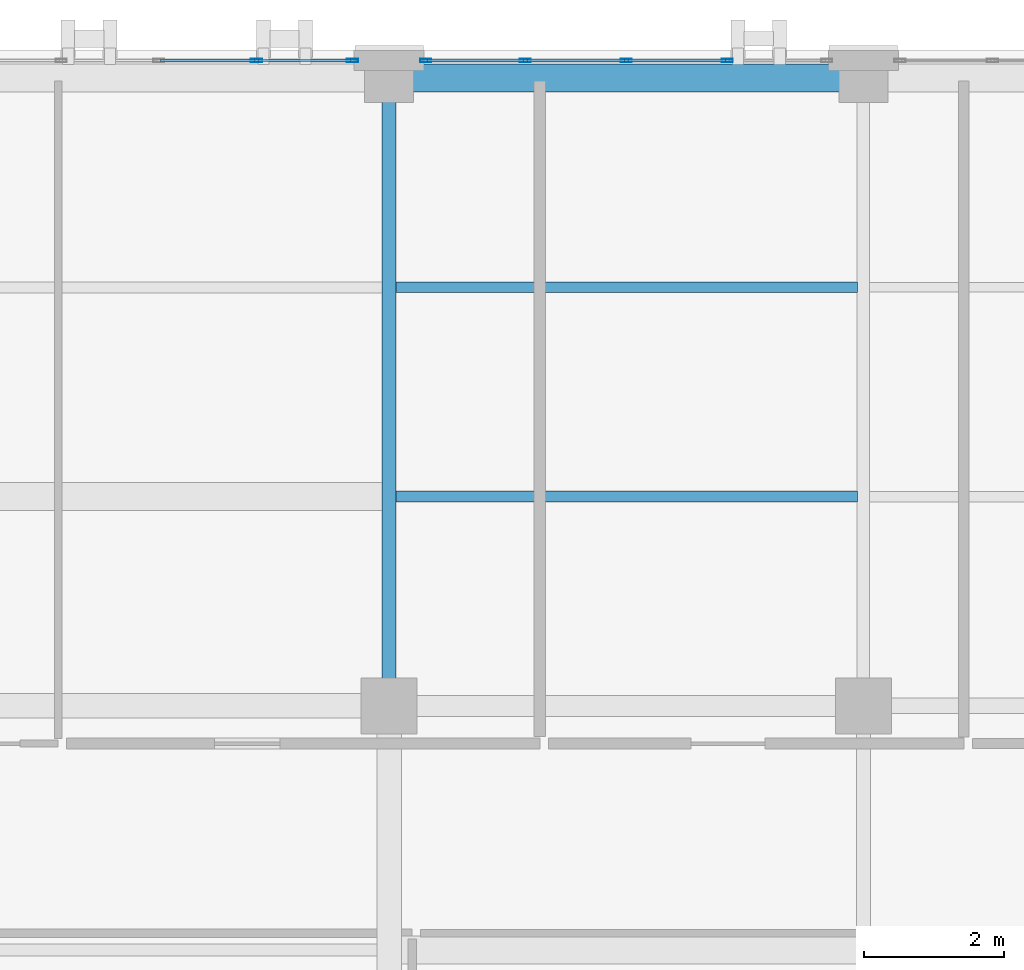
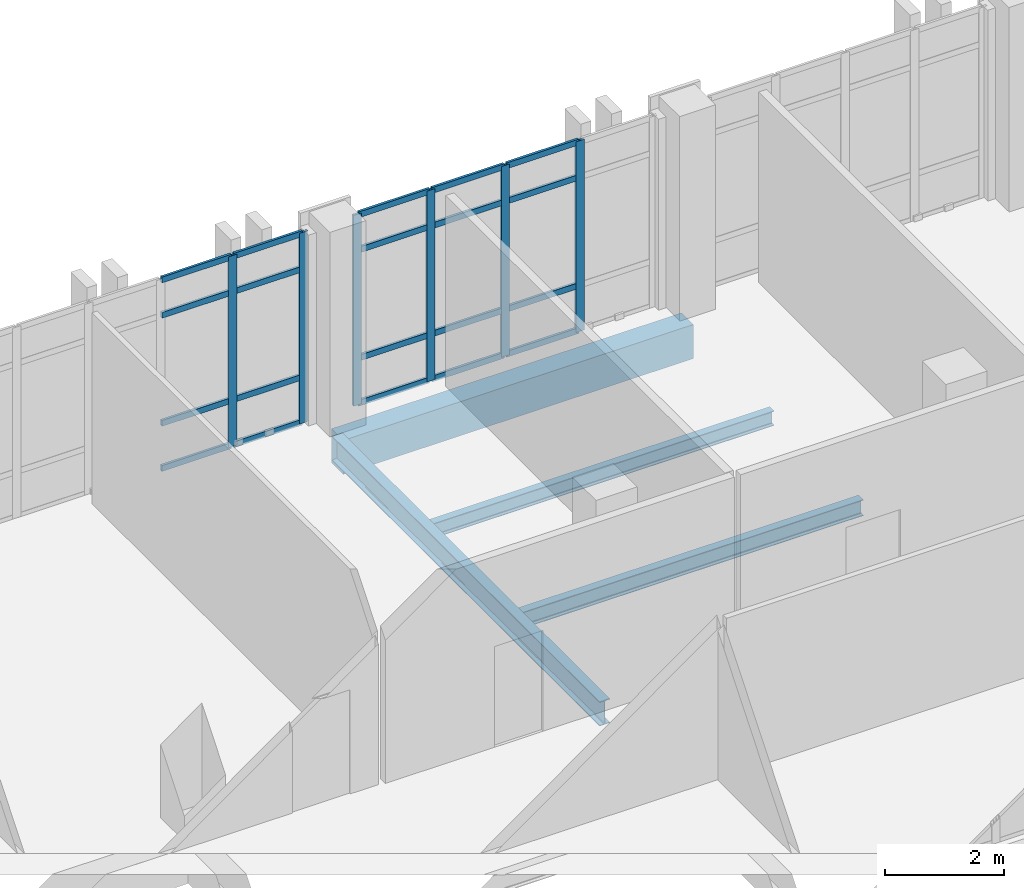
# One storey, part 94 of 165: 26 members, 4 beams, 2 elements without a shape of their own.
"""IFC4 building model written with IfcOpenShell, lengths in metres."""

from ifc_helpers import new_model, si_unit, direction, frame, origin, origin_2d, place, context, subcontext, project, spatial, rectangle, hollow_rectangle, i_section, extrude, material, layer, layer_set, material_profile, profile_set, type_object, element, aggregate, save


model = new_model("IFC4")

# Units and contexts
model_context = context("Model", 3, precision=1e-05, world=origin(), true_north=direction((0.0, 1.0)))
body_context = subcontext(model_context, "Body", "Model", "MODEL_VIEW")
ifc_project = project(units=[si_unit("LENGTHUNIT", "METRE"), si_unit("AREAUNIT", "SQUARE_METRE"), si_unit("VOLUMEUNIT", "CUBIC_METRE"), si_unit("PLANEANGLEUNIT", "RADIAN"), si_unit("MASSUNIT", "GRAM", prefix="KILO")], contexts=[model_context])

# Site, building, storey
site_placement = place(None, origin())
site = spatial("IfcSite", under=ifc_project, at=site_placement, CompositionType="ELEMENT")
building_placement = place(site_placement, origin())
building = spatial("IfcBuilding", under=site, at=building_placement, Name="Qalavern Law Courts", CompositionType="ELEMENT")
storey_placement = place(building_placement, frame((0.0, 0.0, 14.39990234375)))
storey = spatial("IfcBuildingStorey", under=building, at=storey_placement, Name="L03", CompositionType="ELEMENT", Elevation=14.39990234375)

# Curtain wall, members
ifc_material_1 = material(Name="Anodised aluminium and insulated glazing", Category="aluminium")
ifc_layer = layer(ifc_material_1, 0.166015625)
ifc_layer_set = layer_set([ifc_layer], Name="Anodised aluminium and insulated glazing")
curtain_wall_type = type_object("IfcCurtainWallType", Name="ENV-CW-LIB", PredefinedType="USERDEFINED", material=ifc_layer_set)
curtain_wall_1_placement = place(storey_placement, origin())
curtain_wall_1 = element("IfcCurtainWall", 1, at=curtain_wall_1_placement, inside=storey, type_object=curtain_wall_type, Name="V5 unitised curtain wall L03 north 3", ObjectType="UNITISED CURTAIN WALL", PredefinedType="USERDEFINED")
ifc_material_2 = material(Name="Anodised aluminium", Category="aluminium")
ifc_material_profile_1 = material_profile(ifc_material_2, hollow_rectangle(XDim=0.048095703125, YDim=0.159912109375, WallThickness=0.00390625, at=origin_2d()), Name="ALU MULLION 48x160")
ifc_profile_set_1 = profile_set([ifc_material_profile_1], Name="Anodised aluminium")
member_type_1 = type_object("IfcMemberType", Name="ENV-CWM-48x160", PredefinedType="MULLION", material=ifc_profile_set_1)
member_1_placement = place(storey_placement, frame((49.64990234375, 112.8525390625, 0.0), z_axis=(0.0, 0.0, 1.0), x_axis=(0.0, -1.0, 0.0)))
member_1 = element("IfcMember", 2, at=member_1_placement, type_object=member_type_1, Name="CW-05 mullion 2", PredefinedType="MULLION", context=body_context, shape_type="SweptSolid", body=[
    extrude(hollow_rectangle(XDim=0.048095703125, YDim=0.159912109375, WallThickness=0.00390625, at=origin_2d()), origin(), (0.0, 0.0, 1.0), 3.920166015625),
])
member_2_placement = place(storey_placement, frame((48.199951171875, 112.8525390625, 0.0), z_axis=(0.0, 0.0, 1.0), x_axis=(0.0, -1.0, 0.0)))
member_2 = element("IfcMember", 3, at=member_2_placement, type_object=member_type_1, Name="CW-05 mullion 3", PredefinedType="MULLION", context=body_context, shape_type="SweptSolid", body=[
    extrude(hollow_rectangle(XDim=0.048095703125, YDim=0.159912109375, WallThickness=0.00390625, at=origin_2d()), origin(), (0.0, 0.0, 1.0), 3.920166015625),
])
member_3_placement = place(storey_placement, frame((46.75, 112.8525390625, 0.0), z_axis=(0.0, 0.0, 1.0), x_axis=(0.0, -1.0, 0.0)))
member_3 = element("IfcMember", 4, at=member_3_placement, type_object=member_type_1, Name="CW-05 mullion 4", PredefinedType="MULLION", context=body_context, shape_type="SweptSolid", body=[
    extrude(hollow_rectangle(XDim=0.048095703125, YDim=0.159912109375, WallThickness=0.00390625, at=origin_2d()), origin(), (0.0, 0.0, 1.0), 3.920166015625),
])
member_4_placement = place(storey_placement, frame((45.323974609375, 112.8525390625, 0.0), z_axis=(0.0, 0.0, 1.0), x_axis=(0.0, -1.0, 0.0)))
member_4 = element("IfcMember", 5, at=member_4_placement, type_object=member_type_1, Name="CW-05 mullion 5", PredefinedType="MULLION", context=body_context, shape_type="SweptSolid", body=[
    extrude(hollow_rectangle(XDim=0.048095703125, YDim=0.159912109375, WallThickness=0.00390625, at=origin_2d()), origin(), (0.0, 0.0, 1.0), 3.920166015625),
])

curtain_wall_2_placement = place(storey_placement, origin())
curtain_wall_2 = element("IfcCurtainWall", 6, at=curtain_wall_2_placement, inside=storey, type_object=curtain_wall_type, Name="V5 unitised curtain wall L03 north 4", ObjectType="UNITISED CURTAIN WALL", PredefinedType="USERDEFINED")
member_5_placement = place(storey_placement, frame((44.27587890625, 112.8525390625, 0.0), z_axis=(0.0, 0.0, 1.0), x_axis=(0.0, -1.0, 0.0)))
member_5 = element("IfcMember", 7, at=member_5_placement, type_object=member_type_1, Name="CW-05 mullion 1", PredefinedType="MULLION", context=body_context, shape_type="SweptSolid", body=[
    extrude(hollow_rectangle(XDim=0.048095703125, YDim=0.159912109375, WallThickness=0.00390625, at=origin_2d()), origin(), (0.0, 0.0, 1.0), 3.920166015625),
])
member_6_placement = place(storey_placement, frame((42.89990234375, 112.8525390625, 0.0), z_axis=(0.0, 0.0, 1.0), x_axis=(0.0, -1.0, 0.0)))
member_6 = element("IfcMember", 8, at=member_6_placement, type_object=member_type_1, Name="CW-05 mullion 2", PredefinedType="MULLION", context=body_context, shape_type="SweptSolid", body=[
    extrude(hollow_rectangle(XDim=0.048095703125, YDim=0.159912109375, WallThickness=0.00390625, at=origin_2d()), origin(), (0.0, 0.0, 1.0), 3.920166015625),
])

# Member
ifc_material_profile_2 = material_profile(ifc_material_2, hollow_rectangle(XDim=0.048095703125, YDim=0.1201171875, WallThickness=0.00390625, at=origin_2d()), Name="ALU TRANSOM 48x120")
ifc_profile_set_2 = profile_set([ifc_material_profile_2], Name="Anodised aluminium")
member_type_2 = type_object("IfcMemberType", Name="ENV-CWT-48x120", PredefinedType="USERDEFINED", material=ifc_profile_set_2)
member_7_placement = place(storey_placement, frame((49.6259765625, 112.8525390625, 0.024169921875), z_axis=(-1.0, 0.0, 0.0), x_axis=(0.0, -1.0, 0.0)))
member_7 = element("IfcMember", 9, at=member_7_placement, type_object=member_type_2, Name="CW-05 transom 2.1", ObjectType="TRANSOM", PredefinedType="USERDEFINED", context=body_context, shape_type="SweptSolid", body=[
    extrude(hollow_rectangle(XDim=0.048095703125, YDim=0.1201171875, WallThickness=0.00390625, at=origin_2d()), origin(), (0.0, 0.0, 1.0), 1.40185546875),
])

member_8_placement = place(storey_placement, frame((49.6259765625, 112.8525390625, 0.9501953125), z_axis=(-1.0, 0.0, 0.0), x_axis=(0.0, -1.0, 0.0)))
member_8 = element("IfcMember", 10, at=member_8_placement, type_object=member_type_2, Name="CW-05 transom 2.2", ObjectType="TRANSOM", PredefinedType="USERDEFINED", context=body_context, shape_type="SweptSolid", body=[
    extrude(hollow_rectangle(XDim=0.048095703125, YDim=0.1201171875, WallThickness=0.00390625, at=origin_2d()), origin(), (0.0, 0.0, 1.0), 1.40185546875),
])

member_9_placement = place(storey_placement, frame((49.6259765625, 112.8525390625, 3.170166015625), z_axis=(-1.0, 0.0, 0.0), x_axis=(0.0, -1.0, 0.0)))
member_9 = element("IfcMember", 11, at=member_9_placement, type_object=member_type_2, Name="CW-05 transom 2.3", ObjectType="TRANSOM", PredefinedType="USERDEFINED", context=body_context, shape_type="SweptSolid", body=[
    extrude(hollow_rectangle(XDim=0.048095703125, YDim=0.1201171875, WallThickness=0.00390625, at=origin_2d()), origin(), (0.0, 0.0, 1.0), 1.40185546875),
])

member_10_placement = place(storey_placement, frame((49.6259765625, 112.8525390625, 3.89599609375), z_axis=(-1.0, 0.0, 0.0), x_axis=(0.0, -1.0, 0.0)))
member_10 = element("IfcMember", 12, at=member_10_placement, type_object=member_type_2, Name="CW-05 transom 2.4", ObjectType="TRANSOM", PredefinedType="USERDEFINED", context=body_context, shape_type="SweptSolid", body=[
    extrude(hollow_rectangle(XDim=0.048095703125, YDim=0.1201171875, WallThickness=0.00390625, at=origin_2d()), origin(), (0.0, 0.0, 1.0), 1.40185546875),
])

member_11_placement = place(storey_placement, frame((48.176025390625, 112.8525390625, 0.024169921875), z_axis=(-1.0, 0.0, 0.0), x_axis=(0.0, -1.0, 0.0)))
member_11 = element("IfcMember", 13, at=member_11_placement, type_object=member_type_2, Name="CW-05 transom 3.1", ObjectType="TRANSOM", PredefinedType="USERDEFINED", context=body_context, shape_type="SweptSolid", body=[
    extrude(hollow_rectangle(XDim=0.048095703125, YDim=0.1201171875, WallThickness=0.00390625, at=origin_2d()), origin(), (0.0, 0.0, 1.0), 1.402099609375),
])

member_12_placement = place(storey_placement, frame((48.176025390625, 112.8525390625, 0.9501953125), z_axis=(-1.0, 0.0, 0.0), x_axis=(0.0, -1.0, 0.0)))
member_12 = element("IfcMember", 14, at=member_12_placement, type_object=member_type_2, Name="CW-05 transom 3.2", ObjectType="TRANSOM", PredefinedType="USERDEFINED", context=body_context, shape_type="SweptSolid", body=[
    extrude(hollow_rectangle(XDim=0.048095703125, YDim=0.1201171875, WallThickness=0.00390625, at=origin_2d()), origin(), (0.0, 0.0, 1.0), 1.402099609375),
])

member_13_placement = place(storey_placement, frame((48.176025390625, 112.8525390625, 3.170166015625), z_axis=(-1.0, 0.0, 0.0), x_axis=(0.0, -1.0, 0.0)))
member_13 = element("IfcMember", 15, at=member_13_placement, type_object=member_type_2, Name="CW-05 transom 3.3", ObjectType="TRANSOM", PredefinedType="USERDEFINED", context=body_context, shape_type="SweptSolid", body=[
    extrude(hollow_rectangle(XDim=0.048095703125, YDim=0.1201171875, WallThickness=0.00390625, at=origin_2d()), origin(), (0.0, 0.0, 1.0), 1.402099609375),
])

member_14_placement = place(storey_placement, frame((48.176025390625, 112.8525390625, 3.89599609375), z_axis=(-1.0, 0.0, 0.0), x_axis=(0.0, -1.0, 0.0)))
member_14 = element("IfcMember", 16, at=member_14_placement, type_object=member_type_2, Name="CW-05 transom 3.4", ObjectType="TRANSOM", PredefinedType="USERDEFINED", context=body_context, shape_type="SweptSolid", body=[
    extrude(hollow_rectangle(XDim=0.048095703125, YDim=0.1201171875, WallThickness=0.00390625, at=origin_2d()), origin(), (0.0, 0.0, 1.0), 1.402099609375),
])

member_15_placement = place(storey_placement, frame((46.72607421875, 112.8525390625, 0.024169921875), z_axis=(-1.0, 0.0, 0.0), x_axis=(0.0, -1.0, 0.0)))
member_15 = element("IfcMember", 17, at=member_15_placement, type_object=member_type_2, Name="CW-05 transom 4.1", ObjectType="TRANSOM", PredefinedType="USERDEFINED", context=body_context, shape_type="SweptSolid", body=[
    extrude(hollow_rectangle(XDim=0.048095703125, YDim=0.1201171875, WallThickness=0.00390625, at=origin_2d()), origin(), (0.0, 0.0, 1.0), 1.378173828125),
])

member_16_placement = place(storey_placement, frame((46.72607421875, 112.8525390625, 0.9501953125), z_axis=(-1.0, 0.0, 0.0), x_axis=(0.0, -1.0, 0.0)))
member_16 = element("IfcMember", 18, at=member_16_placement, type_object=member_type_2, Name="CW-05 transom 4.2", ObjectType="TRANSOM", PredefinedType="USERDEFINED", context=body_context, shape_type="SweptSolid", body=[
    extrude(hollow_rectangle(XDim=0.048095703125, YDim=0.1201171875, WallThickness=0.00390625, at=origin_2d()), origin(), (0.0, 0.0, 1.0), 1.378173828125),
])

member_17_placement = place(storey_placement, frame((46.72607421875, 112.8525390625, 3.170166015625), z_axis=(-1.0, 0.0, 0.0), x_axis=(0.0, -1.0, 0.0)))
member_17 = element("IfcMember", 19, at=member_17_placement, type_object=member_type_2, Name="CW-05 transom 4.3", ObjectType="TRANSOM", PredefinedType="USERDEFINED", context=body_context, shape_type="SweptSolid", body=[
    extrude(hollow_rectangle(XDim=0.048095703125, YDim=0.1201171875, WallThickness=0.00390625, at=origin_2d()), origin(), (0.0, 0.0, 1.0), 1.378173828125),
])

member_18_placement = place(storey_placement, frame((46.72607421875, 112.8525390625, 3.89599609375), z_axis=(-1.0, 0.0, 0.0), x_axis=(0.0, -1.0, 0.0)))
member_18 = element("IfcMember", 20, at=member_18_placement, type_object=member_type_2, Name="CW-05 transom 4.4", ObjectType="TRANSOM", PredefinedType="USERDEFINED", context=body_context, shape_type="SweptSolid", body=[
    extrude(hollow_rectangle(XDim=0.048095703125, YDim=0.1201171875, WallThickness=0.00390625, at=origin_2d()), origin(), (0.0, 0.0, 1.0), 1.378173828125),
])

aggregate(curtain_wall_1, [member_1, member_2, member_3, member_4, member_7, member_8, member_9, member_10, member_11, member_12, member_13, member_14, member_15, member_16, member_17, member_18])

member_19_placement = place(storey_placement, frame((44.251953125, 112.8525390625, 0.024169921875), z_axis=(-1.0, 0.0, 0.0), x_axis=(0.0, -1.0, 0.0)))
member_19 = element("IfcMember", 21, at=member_19_placement, type_object=member_type_2, Name="CW-05 transom 1.1", ObjectType="TRANSOM", PredefinedType="USERDEFINED", context=body_context, shape_type="SweptSolid", body=[
    extrude(hollow_rectangle(XDim=0.048095703125, YDim=0.1201171875, WallThickness=0.00390625, at=origin_2d()), origin(), (0.0, 0.0, 1.0), 1.327880859375),
])

member_20_placement = place(storey_placement, frame((44.251953125, 112.8525390625, 0.9501953125), z_axis=(-1.0, 0.0, 0.0), x_axis=(0.0, -1.0, 0.0)))
member_20 = element("IfcMember", 22, at=member_20_placement, type_object=member_type_2, Name="CW-05 transom 1.2", ObjectType="TRANSOM", PredefinedType="USERDEFINED", context=body_context, shape_type="SweptSolid", body=[
    extrude(hollow_rectangle(XDim=0.048095703125, YDim=0.1201171875, WallThickness=0.00390625, at=origin_2d()), origin(), (0.0, 0.0, 1.0), 1.327880859375),
])

member_21_placement = place(storey_placement, frame((44.251953125, 112.8525390625, 3.170166015625), z_axis=(-1.0, 0.0, 0.0), x_axis=(0.0, -1.0, 0.0)))
member_21 = element("IfcMember", 23, at=member_21_placement, type_object=member_type_2, Name="CW-05 transom 1.3", ObjectType="TRANSOM", PredefinedType="USERDEFINED", context=body_context, shape_type="SweptSolid", body=[
    extrude(hollow_rectangle(XDim=0.048095703125, YDim=0.1201171875, WallThickness=0.00390625, at=origin_2d()), origin(), (0.0, 0.0, 1.0), 1.327880859375),
])

member_22_placement = place(storey_placement, frame((44.251953125, 112.8525390625, 3.89599609375), z_axis=(-1.0, 0.0, 0.0), x_axis=(0.0, -1.0, 0.0)))
member_22 = element("IfcMember", 24, at=member_22_placement, type_object=member_type_2, Name="CW-05 transom 1.4", ObjectType="TRANSOM", PredefinedType="USERDEFINED", context=body_context, shape_type="SweptSolid", body=[
    extrude(hollow_rectangle(XDim=0.048095703125, YDim=0.1201171875, WallThickness=0.00390625, at=origin_2d()), origin(), (0.0, 0.0, 1.0), 1.327880859375),
])

member_23_placement = place(storey_placement, frame((42.8759765625, 112.8525390625, 0.024169921875), z_axis=(-1.0, 0.0, 0.0), x_axis=(0.0, -1.0, 0.0)))
member_23 = element("IfcMember", 25, at=member_23_placement, type_object=member_type_2, Name="CW-05 transom 2.1", ObjectType="TRANSOM", PredefinedType="USERDEFINED", context=body_context, shape_type="SweptSolid", body=[
    extrude(hollow_rectangle(XDim=0.048095703125, YDim=0.1201171875, WallThickness=0.00390625, at=origin_2d()), origin(), (0.0, 0.0, 1.0), 1.35205078125),
])

member_24_placement = place(storey_placement, frame((42.8759765625, 112.8525390625, 0.9501953125), z_axis=(-1.0, 0.0, 0.0), x_axis=(0.0, -1.0, 0.0)))
member_24 = element("IfcMember", 26, at=member_24_placement, type_object=member_type_2, Name="CW-05 transom 2.2", ObjectType="TRANSOM", PredefinedType="USERDEFINED", context=body_context, shape_type="SweptSolid", body=[
    extrude(hollow_rectangle(XDim=0.048095703125, YDim=0.1201171875, WallThickness=0.00390625, at=origin_2d()), origin(), (0.0, 0.0, 1.0), 1.35205078125),
])

member_25_placement = place(storey_placement, frame((42.8759765625, 112.8525390625, 3.170166015625), z_axis=(-1.0, 0.0, 0.0), x_axis=(0.0, -1.0, 0.0)))
member_25 = element("IfcMember", 27, at=member_25_placement, type_object=member_type_2, Name="CW-05 transom 2.3", ObjectType="TRANSOM", PredefinedType="USERDEFINED", context=body_context, shape_type="SweptSolid", body=[
    extrude(hollow_rectangle(XDim=0.048095703125, YDim=0.1201171875, WallThickness=0.00390625, at=origin_2d()), origin(), (0.0, 0.0, 1.0), 1.35205078125),
])

member_26_placement = place(storey_placement, frame((42.8759765625, 112.8525390625, 3.89599609375), z_axis=(-1.0, 0.0, 0.0), x_axis=(0.0, -1.0, 0.0)))
member_26 = element("IfcMember", 28, at=member_26_placement, type_object=member_type_2, Name="CW-05 transom 2.4", ObjectType="TRANSOM", PredefinedType="USERDEFINED", context=body_context, shape_type="SweptSolid", body=[
    extrude(hollow_rectangle(XDim=0.048095703125, YDim=0.1201171875, WallThickness=0.00390625, at=origin_2d()), origin(), (0.0, 0.0, 1.0), 1.35205078125),
])

aggregate(curtain_wall_2, [member_5, member_6, member_19, member_20, member_21, member_22, member_23, member_24, member_25, member_26])

# Beams
ifc_material_3 = material(Name="Steel S355", Category="steel")
ifc_material_profile_3 = material_profile(ifc_material_3, i_section(OverallWidth=0.199951171875, OverallDepth=0.5, WebThickness=0.01025390625, FlangeThickness=0.01611328125, FilletRadius=0.02099609375, at=origin_2d()), Name="IPE 500")
ifc_profile_set_3 = profile_set([ifc_material_profile_3], Name="Steel S355")
beam_type_1 = type_object("IfcBeamType", Name="STR-BM-IPE500", PredefinedType="BEAM", material=ifc_profile_set_3)
beam_1_placement = place(storey_placement, frame((44.800048828125, 103.60009765625, -0.534912109375), z_axis=(0.0, 1.0, 0.0), x_axis=(-1.0, 0.0, 0.0)))
element("IfcBeam", 29, at=beam_1_placement, inside=storey, type_object=beam_type_1, Name="V5 Y-beam 6-2 L03", PredefinedType="BEAM", context=body_context, shape_type="SweptSolid", body=[
    extrude(i_section(OverallWidth=0.199951171875, OverallDepth=0.5, WebThickness=0.01025390625, FlangeThickness=0.01611328125, FilletRadius=0.02099609375, at=origin_2d()), origin(), (0.0, 0.0, 1.0), 9.0),
])
ifc_material_profile_4 = material_profile(ifc_material_3, i_section(OverallWidth=0.14990234375, OverallDepth=0.300048828125, WebThickness=0.007080078125, FlangeThickness=0.0107421875, FilletRadius=0.014892578125, at=origin_2d()), Name="IPE 300")
ifc_profile_set_4 = profile_set([ifc_material_profile_4], Name="Steel S355")
beam_type_2 = type_object("IfcBeamType", Name="STR-JST-IPE300", PredefinedType="JOIST", material=ifc_profile_set_4)
beam_2_placement = place(storey_placement, frame((44.89794921875, 109.60009765625, -0.434814453125), z_axis=(1.0, 0.0, 0.0), x_axis=(0.0, 1.0, 0.0)))
element("IfcBeam", 30, at=beam_2_placement, inside=storey, type_object=beam_type_2, Name="V5 secondary joist 6.2.2 L03", PredefinedType="JOIST", context=body_context, shape_type="SweptSolid", body=[
    extrude(i_section(OverallWidth=0.14990234375, OverallDepth=0.300048828125, WebThickness=0.007080078125, FlangeThickness=0.0107421875, FilletRadius=0.014892578125, at=origin_2d()), origin(), (0.0, 0.0, 1.0), 6.614013671875),
])
ifc_material_profile_5 = material_profile(ifc_material_3, i_section(OverallWidth=0.159912109375, OverallDepth=0.330078125, WebThickness=0.007568359375, FlangeThickness=0.011474609375, FilletRadius=0.01806640625, at=origin_2d()), Name="IPE 330")
ifc_profile_set_5 = profile_set([ifc_material_profile_5], Name="Steel S355")
beam_type_3 = type_object("IfcBeamType", Name="STR-JST-IPE330", PredefinedType="JOIST", material=ifc_profile_set_5)
beam_3_placement = place(storey_placement, frame((44.89794921875, 106.60009765625, -0.449951171875), z_axis=(1.0, 0.0, 0.0), x_axis=(0.0, 1.0, 0.0)))
element("IfcBeam", 31, at=beam_3_placement, inside=storey, type_object=beam_type_3, Name="V5 secondary joist 6.2.1 L03", PredefinedType="JOIST", context=body_context, shape_type="SweptSolid", body=[
    extrude(i_section(OverallWidth=0.159912109375, OverallDepth=0.330078125, WebThickness=0.007568359375, FlangeThickness=0.011474609375, FilletRadius=0.01806640625, at=origin_2d()), origin(), (0.0, 0.0, 1.0), 6.614013671875),
])
ifc_material_4 = material(Name="Concrete C40/50", Category="concrete")
ifc_material_profile_6 = material_profile(ifc_material_4, rectangle(XDim=0.39990234375, YDim=0.699951171875, at=origin_2d()), Name="RC 400x700")
ifc_profile_set_6 = profile_set([ifc_material_profile_6], Name="Concrete C40/50")
beam_type_4 = type_object("IfcBeamType", Name="STR-SP-RC400x700", PredefinedType="SPANDREL", material=ifc_profile_set_6)
beam_4_placement = place(storey_placement, frame((44.800048828125, 112.60009765625, -0.635009765625), z_axis=(1.0, 0.0, 0.0), x_axis=(0.0, 1.0, 0.0)))
element("IfcBeam", 32, at=beam_4_placement, inside=storey, type_object=beam_type_4, Name="V5 X-beam 3-6 L03", PredefinedType="SPANDREL", context=body_context, shape_type="SweptSolid", body=[
    extrude(rectangle(XDim=0.39990234375, YDim=0.699951171875, at=origin_2d()), origin(), (0.0, 0.0, 1.0), 6.800048828125),
])

save(model, "model.ifc")
